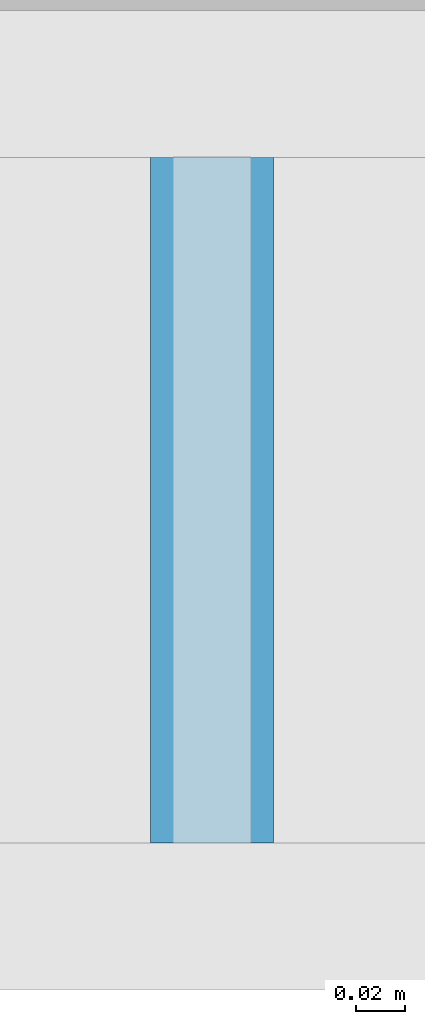
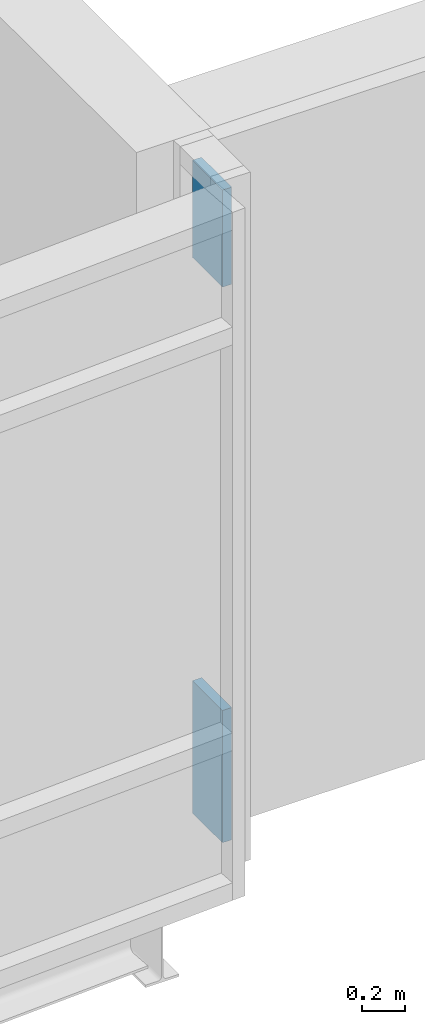
# One storey, part 15 of 21: 2 plates, 1 element without a shape of its own.
"""IFC4 building model written with IfcOpenShell, lengths in metres."""

import ifcopenshell
import ifcopenshell.guid

model = None  # the IFC model being written
_history = None  # IfcOwnerHistory: only IFC2X3 demands one
_inside = {}  # id of a spatial element -> (the spatial element, [elements in it])
_under = {}  # id of a project, library or spatial element -> (it, [spatial elements below it])
_declared = {}  # id of a project -> (the project, [libraries it declares])
_typed = {}  # id of a type object -> (the type object, [elements of that type])
_made_of = {}  # id of a material, layer set ... -> (it, [elements and type objects made of it])


def new_model(schema):
    """Start an empty IFC model of exactly this schema.

    Asked for "IFC4X3", IfcOpenShell would pick the latest addendum, in which some entities
    have other attributes; the version numbers below select the first issue.
    IFC2X3 requires an IfcOwnerHistory on every rooted entity: one is made here for all.
    """
    global model, _history
    if schema == "IFC4X3":
        model = ifcopenshell.file(schema_version=(4, 3, 0, 0))
    else:
        model = ifcopenshell.file(schema=schema)
    _inside.clear()
    _under.clear()
    _declared.clear()
    _typed.clear()
    _made_of.clear()
    _history = None
    if model.schema == "IFC2X3":
        org = make("IfcOrganization", Name="unknown")
        user = make(
            "IfcPersonAndOrganization",
            ThePerson=make("IfcPerson", FamilyName="unknown"),
            TheOrganization=org,
        )
        app = make(
            "IfcApplication",
            ApplicationDeveloper=org,
            Version="unknown",
            ApplicationFullName="unknown",
            ApplicationIdentifier="unknown",
        )
        _history = make(
            "IfcOwnerHistory",
            OwningUser=user,
            OwningApplication=app,
            ChangeAction="ADDED",
            CreationDate=0,
        )
    return model


def make(cls, **values):
    """One entity of the class cls with the attributes given. An attribute that is None is left unset."""
    return model.create_entity(
        cls, **{name: value for name, value in values.items() if value is not None}
    )


def rooted(cls, **values):
    """An entity with a GlobalId (a new one), such as an element, a storey or a relation."""
    return make(cls, GlobalId=ifcopenshell.guid.new(), OwnerHistory=_history, **values)


def si_unit(unit_type, name, prefix=None):
    """IfcSIUnit, for example si_unit("LENGTHUNIT", "METRE", prefix="MILLI")."""
    return make("IfcSIUnit", UnitType=unit_type, Prefix=prefix, Name=name)


def assignment(units):
    """IfcUnitAssignment: the units of a project."""
    return None if units is None else make("IfcUnitAssignment", Units=units)


def point(xyz):
    """IfcCartesianPoint."""
    return None if xyz is None else make("IfcCartesianPoint", Coordinates=xyz)


def direction(xyz):
    """IfcDirection."""
    return None if xyz is None else make("IfcDirection", DirectionRatios=xyz)


def frame(location, z_axis=None, x_axis=None):
    """IfcAxis2Placement3D, a coordinate frame: its origin and axes. An axis left out is left unset."""
    return make(
        "IfcAxis2Placement3D",
        Location=point(location),
        Axis=direction(z_axis),
        RefDirection=direction(x_axis),
    )


def frame_2d(location, x_axis=None):
    """IfcAxis2Placement2D, a coordinate frame in the plane: its origin and x axis."""
    return make(
        "IfcAxis2Placement2D", Location=point(location), RefDirection=direction(x_axis)
    )


def origin():
    """The frame at (0, 0, 0) with its axes left unset."""
    return frame((0.0, 0.0, 0.0))


def origin_2d():
    """The frame at (0, 0) in the plane with its x axis left unset."""
    return frame_2d((0.0, 0.0))


def place(relative_to, where):
    """IfcLocalPlacement: puts the frame where relative to a parent placement (None: the world)."""
    return make(
        "IfcLocalPlacement", PlacementRelTo=relative_to, RelativePlacement=where
    )


def context(
    kind, dimensions, precision=None, world=None, true_north=None, identifier=None
):
    """IfcGeometricRepresentationContext, for example the 3D "Model" context."""
    return make(
        "IfcGeometricRepresentationContext",
        ContextIdentifier=identifier,
        ContextType=kind,
        CoordinateSpaceDimension=dimensions,
        Precision=precision,
        WorldCoordinateSystem=world,
        TrueNorth=true_north,
    )


def subcontext(parent, identifier, kind, view, scale=None):
    """IfcGeometricRepresentationSubContext, for example "Body" below "Model"."""
    return make(
        "IfcGeometricRepresentationSubContext",
        ContextIdentifier=identifier,
        ContextType=kind,
        ParentContext=parent,
        TargetScale=scale,
        TargetView=view,
    )


def project(units=None, contexts=None):
    """IfcProject with its units and contexts."""
    return rooted(
        "IfcProject",
        Name="project",
        RepresentationContexts=contexts,
        UnitsInContext=assignment(units),
    )


def spatial(cls, under=None, at=None, **own):
    """A site, building, storey or space (cls), placed at a placement, below another one or the project."""
    s = rooted(cls, ObjectPlacement=at, **own)
    if under is not None:
        _under.setdefault(under.id(), (under, []))[1].append(s)
    return s


def profile(cls, at=None, kind="AREA", **sizes):
    """A parametric profile (cls). Its sizes go by their IFC names, for example OverallWidth=200.0."""
    return make(cls, ProfileType=kind, Position=at, **sizes)


def rectangle(**sizes):
    """IfcRectangleProfileDef."""
    return profile("IfcRectangleProfileDef", **sizes)


def extrude(swept, where, along, depth):
    """IfcExtrudedAreaSolid: the profile swept, set in the frame where, extruded along a direction by depth."""
    return make(
        "IfcExtrudedAreaSolid",
        SweptArea=swept,
        Position=where,
        ExtrudedDirection=direction(along),
        Depth=depth,
    )


def shape(context_of_items, identifier, shape_type, items):
    """IfcShapeRepresentation: the items that make up one representation, for example the "Body"."""
    return make(
        "IfcShapeRepresentation",
        ContextOfItems=context_of_items,
        RepresentationIdentifier=identifier,
        RepresentationType=shape_type,
        Items=items,
    )


def material(Name=None, Category=None):
    """IfcMaterial."""
    return make("IfcMaterial", Name=Name, Category=Category)


def layer(
    of_material, thickness, ventilated=None, Name=None, Category=None, Priority=None
):
    """IfcMaterialLayer: one layer of a wall or slab, of a material (None: an air gap)."""
    return make(
        "IfcMaterialLayer",
        Material=of_material,
        LayerThickness=thickness,
        IsVentilated=ventilated,
        Name=Name,
        Category=Category,
        Priority=Priority,
    )


def layer_set(layers, Name=None):
    """IfcMaterialLayerSet."""
    return make("IfcMaterialLayerSet", MaterialLayers=layers, LayerSetName=Name)


def made_of(thing, what):
    """Note that an element or type object is made of a material, layer set ...; save() writes the relation."""
    if what is not None:
        _made_of.setdefault(what.id(), (what, []))[1].append(thing)
    return thing


def type_object(cls, material=None, **own):
    """A type object (cls), such as IfcWallType, which elements share."""
    return made_of(rooted(cls, **own), material)


def element(
    cls,
    number,
    at=None,
    inside=None,
    cuts=None,
    type_object=None,
    material=None,
    context=None,
    identifier="Body",
    shape_type=None,
    held_by="IfcProductDefinitionShape",
    body=None,
    shapes=None,
    **own,
):
    """One element of the class cls, such as IfcWall. Its Tag is "e" and its number.

    at: its placement. inside: the storey or other place that contains it. cuts: it is an
    opening in that element (IfcRelVoidsElement). A single representation is given by context,
    identifier, shape_type and body (its items); several are given by shapes. held_by: the class
    of the entity that holds the representations. save() writes the other relations.
    """
    e = rooted(cls, Tag="e%d" % number, ObjectPlacement=at, **own)
    if body is not None:
        shapes = [shape(context, identifier, shape_type, body)]
    if shapes is not None:
        e.Representation = make(held_by, Representations=shapes)
    if inside is not None:
        _inside.setdefault(inside.id(), (inside, []))[1].append(e)
    if cuts is not None:
        rooted(
            "IfcRelVoidsElement", RelatingBuildingElement=cuts, RelatedOpeningElement=e
        )
    if type_object is not None:
        _typed.setdefault(type_object.id(), (type_object, []))[1].append(e)
    return made_of(e, material)


def aggregate(whole, parts):
    """IfcRelAggregates: a whole, such as a stair, and the parts it consists of."""
    return rooted("IfcRelAggregates", RelatingObject=whole, RelatedObjects=parts)


def save(model, path):
    """Write the relations noted so far, then the file.

    IfcRelAggregates (storeys below a building ...), IfcRelContainedInSpatialStructure (elements
    in a storey), IfcRelDefinesByType, IfcRelAssociatesMaterial and IfcRelDeclares: one each for
    every whole, place, type object, material and project.
    """
    for whole, parts in _under.values():
        aggregate(whole, parts)
    for where, things in _inside.values():
        rooted(
            "IfcRelContainedInSpatialStructure",
            RelatedElements=things,
            RelatingStructure=where,
        )
    for kind, things in _typed.values():
        rooted("IfcRelDefinesByType", RelatedObjects=things, RelatingType=kind)
    for what, things in _made_of.values():
        rooted("IfcRelAssociatesMaterial", RelatedObjects=things, RelatingMaterial=what)
    for by, libraries in _declared.values():
        rooted("IfcRelDeclares", RelatingContext=by, RelatedDefinitions=libraries)
    model.write(path)


model = new_model("IFC4")

# Units and contexts
model_context = context("Model", 3, precision=1e-05, world=origin(), true_north=direction((0.0, 1.0)))
body_context = subcontext(model_context, "Body", "Model", "MODEL_VIEW")
ifc_project = project(units=[si_unit("LENGTHUNIT", "METRE"), si_unit("AREAUNIT", "SQUARE_METRE"), si_unit("VOLUMEUNIT", "CUBIC_METRE"), si_unit("PLANEANGLEUNIT", "RADIAN"), si_unit("MASSUNIT", "GRAM", prefix="KILO")], contexts=[model_context])

# Site, building, storey
site_placement = place(None, origin())
site = spatial("IfcSite", under=ifc_project, at=site_placement, CompositionType="ELEMENT")
building_placement = place(site_placement, origin())
building = spatial("IfcBuilding", under=site, at=building_placement, Name="Azimuth Sports and Learning Centre", CompositionType="ELEMENT")
storey_placement = place(building_placement, frame((0.0, 0.0, 48.0)))
storey = spatial("IfcBuildingStorey", under=building, at=storey_placement, Name="L10", CompositionType="ELEMENT", Elevation=48.0)

# Curtain wall, plates
ifc_material_1 = material(Name="Aluminium and glass", Category="aluminium")
curtain_wall_type = type_object("IfcCurtainWallType", Name="Curtain wall tower return 180", PredefinedType="NOTDEFINED", material=ifc_material_1)
curtain_wall_placement = place(storey_placement, origin())
curtain_wall = element("IfcCurtainWall", 1, at=curtain_wall_placement, inside=storey, type_object=curtain_wall_type, Name="Curtain wall CW10-005", PredefinedType="NOTDEFINED")
ifc_material_2 = material(Name="Insulated aluminium panel", Category="aluminium")
ifc_layer = layer(ifc_material_2, 0.050048828125)
ifc_layer_set = layer_set([ifc_layer], Name="Insulated aluminium panel")
plate_type = type_object("IfcPlateType", Name="Spandrel panel 50 mm", PredefinedType="CURTAIN_PANEL", material=ifc_layer_set)
plate_1_placement = place(storey_placement, frame((108.090087890625, 89.60009765625, 0.10009765625), z_axis=(0.0, 0.0, 1.0), x_axis=(0.0, 1.0, 0.0)))
plate_1 = element("IfcPlate", 2, at=plate_1_placement, type_object=plate_type, Name="CW10-005 panel 1.1", PredefinedType="CURTAIN_PANEL", context=body_context, shape_type="SweptSolid", body=[
    extrude(rectangle(XDim=0.280029296875, YDim=0.050048828125, at=origin_2d()), origin(), (0.0, 0.0, 1.0), 0.75),
])
plate_2_placement = place(storey_placement, frame((108.090087890625, 89.60009765625, 3.25), z_axis=(0.0, 0.0, 1.0), x_axis=(0.0, 1.0, 0.0)))
plate_2 = element("IfcPlate", 3, at=plate_2_placement, type_object=plate_type, Name="CW10-005 panel 1.3", PredefinedType="CURTAIN_PANEL", context=body_context, shape_type="SweptSolid", body=[
    extrude(rectangle(XDim=0.280029296875, YDim=0.050048828125, at=origin_2d()), origin(), (0.0, 0.0, 1.0), 0.550048828125),
])
aggregate(curtain_wall, [plate_1, plate_2])

save(model, "model.ifc")
